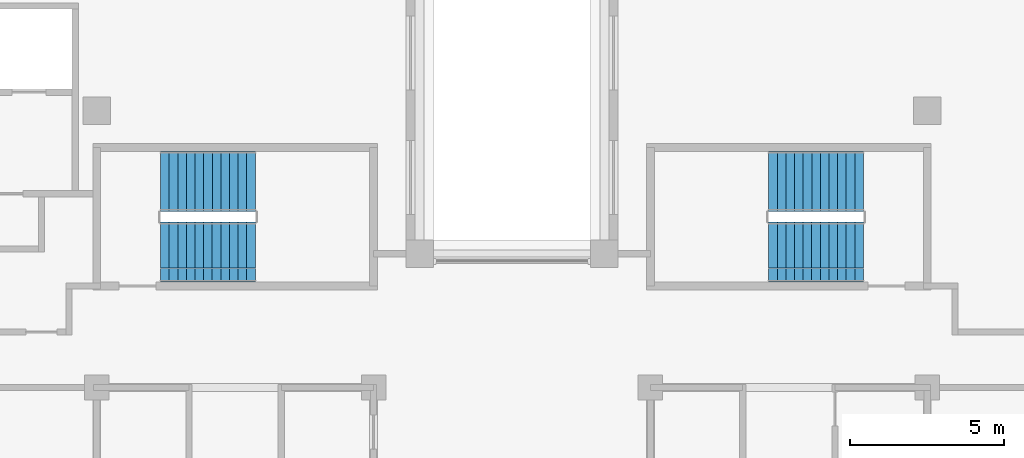
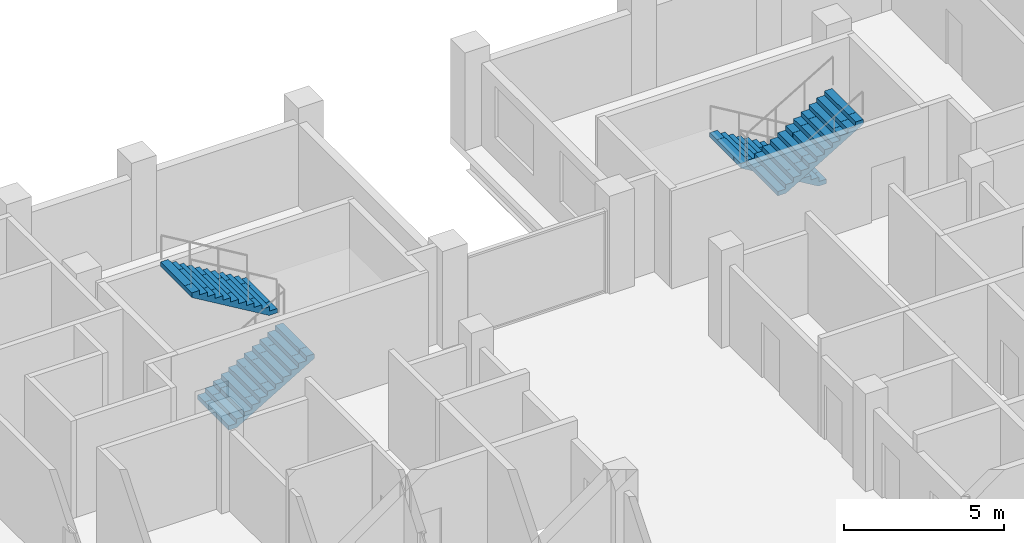
# One storey, part 12 of 13: 4 stair flights, 2 elements without a shape of their own.
"""IFC4 building model written with IfcOpenShell, lengths in metres."""

from ifc_helpers import new_model, si_unit, direction, frame, origin, place, context, subcontext, project, spatial, polyline, outline, extrude, material, type_object, element, aggregate, save


model = new_model("IFC4")

# Units and contexts
model_context = context("Model", 3, precision=1e-05, world=origin(), true_north=direction((0.0, 1.0)))
body_context = subcontext(model_context, "Body", "Model", "MODEL_VIEW")
ifc_project = project(units=[si_unit("LENGTHUNIT", "METRE"), si_unit("AREAUNIT", "SQUARE_METRE"), si_unit("VOLUMEUNIT", "CUBIC_METRE"), si_unit("PLANEANGLEUNIT", "RADIAN"), si_unit("MASSUNIT", "GRAM", prefix="KILO")], contexts=[model_context])

# Site, building, storey
site_placement = place(None, origin())
site = spatial("IfcSite", under=ifc_project, at=site_placement, CompositionType="ELEMENT")
building_placement = place(site_placement, origin())
building = spatial("IfcBuilding", under=site, at=building_placement, Name="Corbelhall Arena Tower", CompositionType="ELEMENT")
storey_placement = place(building_placement, frame((0.0, 0.0, 250.0)))
storey = spatial("IfcBuildingStorey", under=building, at=storey_placement, Name="L53", CompositionType="ELEMENT", Elevation=250.0)

# Stair, stair flights
ifc_material = material(Name="Concrete C40/50", Category="concrete")
stair_type = type_object("IfcStairType", Name="IN-ST-TOWER", PredefinedType="HALF_TURN_STAIR", material=ifc_material)
stair_1_placement = place(storey_placement, origin())
stair_1 = element("IfcStair", 1, at=stair_1_placement, inside=storey, type_object=stair_type, Name="L53 Exit stair ST1", PredefinedType="HALF_TURN_STAIR")
stair_flight_type = type_object("IfcStairFlightType", Name="IN-SFL-RC", PredefinedType="STRAIGHT", material=ifc_material)
stair_flight_1_placement = place(storey_placement, frame((-11.425048828125, 13.39990234375, 0.0), z_axis=(0.0, 0.0, 1.0), x_axis=(1.0, 0.0, 0.0)))
stair_flight_1 = element("IfcStairFlight", 2, at=stair_flight_1_placement, type_object=stair_flight_type, Name="ST1 flight 1", NumberOfRisers=12, NumberOfTreads=11, PredefinedType="STRAIGHT", RiserHeight=0.166666667, TreadLength=0.28, context=body_context, shape_type="SweptSolid", body=[
    extrude(outline(polyline([(0.0, 0.0), (0.0, 0.166748046875), (0.280029296875, 0.166748046875), (0.280029296875, 0.333251953125), (0.56005859375, 0.333251953125), (0.56005859375, 0.5), (0.840087890625, 0.5), (0.840087890625, 0.666748046875), (1.1201171875, 0.666748046875), (1.1201171875, 0.833251953125), (1.39990234375, 0.833251953125), (1.39990234375, 1.0), (1.679931640625, 1.0), (1.679931640625, 1.166748046875), (1.9599609375, 1.166748046875), (1.9599609375, 1.333251953125), (2.239990234375, 1.333251953125), (2.239990234375, 1.5), (2.52001953125, 1.5), (2.52001953125, 1.666748046875), (2.800048828125, 1.666748046875), (2.800048828125, 1.833251953125), (3.080078125, 1.833251953125), (3.080078125, 2.0), (3.080078125, 1.658935546875), (0.29296875, 0.0), (0.0, 0.0)])), frame((0.0, 0.97509765625, 0.0), z_axis=(0.0, -1.0, 0.0), x_axis=(1.0, 0.0, 0.0)), (0.0, 0.0, 1.0), 0.449951171875),
    extrude(outline(polyline([(0.0, 0.0), (0.0, 0.166748046875), (0.280029296875, 0.166748046875), (0.280029296875, 0.333251953125), (0.56005859375, 0.333251953125), (0.56005859375, 0.5), (0.840087890625, 0.5), (0.840087890625, 0.666748046875), (1.1201171875, 0.666748046875), (1.1201171875, 0.833251953125), (1.39990234375, 0.833251953125), (1.39990234375, 1.0), (1.679931640625, 1.0), (1.679931640625, 1.166748046875), (1.9599609375, 1.166748046875), (1.9599609375, 1.333251953125), (2.239990234375, 1.333251953125), (2.239990234375, 1.5), (2.52001953125, 1.5), (2.52001953125, 1.666748046875), (2.800048828125, 1.666748046875), (2.800048828125, 1.833251953125), (3.080078125, 1.833251953125), (3.080078125, 2.0), (3.080078125, 1.658935546875), (0.29296875, 0.0), (0.0, 0.0)])), frame((0.0, 0.52099609375, 0.0), z_axis=(0.0, -1.0, 0.0), x_axis=(1.0, 0.0, 0.0)), (0.0, 0.0, 1.0), 1.0419921875),
    extrude(outline(polyline([(0.0, 0.0), (0.0, 0.166748046875), (0.280029296875, 0.166748046875), (0.280029296875, 0.333251953125), (0.56005859375, 0.333251953125), (0.56005859375, 0.5), (0.840087890625, 0.5), (0.840087890625, 0.666748046875), (1.1201171875, 0.666748046875), (1.1201171875, 0.833251953125), (1.39990234375, 0.833251953125), (1.39990234375, 1.0), (1.679931640625, 1.0), (1.679931640625, 1.166748046875), (1.9599609375, 1.166748046875), (1.9599609375, 1.333251953125), (2.239990234375, 1.333251953125), (2.239990234375, 1.5), (2.52001953125, 1.5), (2.52001953125, 1.666748046875), (2.800048828125, 1.666748046875), (2.800048828125, 1.833251953125), (3.080078125, 1.833251953125), (3.080078125, 2.0), (3.080078125, 1.658935546875), (0.29296875, 0.0), (0.0, 0.0)])), frame((0.0, -0.52490234375, 0.0), z_axis=(0.0, -1.0, 0.0), x_axis=(1.0, 0.0, 0.0)), (0.0, 0.0, 1.0), 0.449951171875),
])
stair_flight_2_placement = place(storey_placement, frame((-8.344970703125, 15.699951171875, 2.0), z_axis=(0.0, 0.0, 1.0), x_axis=(-1.0, 0.0, 0.0)))
stair_flight_2 = element("IfcStairFlight", 3, at=stair_flight_2_placement, type_object=stair_flight_type, Name="ST1 flight 2", NumberOfRisers=12, NumberOfTreads=11, PredefinedType="STRAIGHT", RiserHeight=0.166666667, TreadLength=0.28, context=body_context, shape_type="SweptSolid", body=[
    extrude(outline(polyline([(0.0, 0.0), (0.0, 0.166748046875), (0.280029296875, 0.166748046875), (0.280029296875, 0.333251953125), (0.56005859375, 0.333251953125), (0.56005859375, 0.5), (0.840087890625, 0.5), (0.840087890625, 0.666748046875), (1.1201171875, 0.666748046875), (1.1201171875, 0.833251953125), (1.39990234375, 0.833251953125), (1.39990234375, 1.0), (1.679931640625, 1.0), (1.679931640625, 1.166748046875), (1.9599609375, 1.166748046875), (1.9599609375, 1.333251953125), (2.239990234375, 1.333251953125), (2.239990234375, 1.5), (2.52001953125, 1.5), (2.52001953125, 1.666748046875), (2.800048828125, 1.666748046875), (2.800048828125, 1.833251953125), (3.080078125, 1.833251953125), (3.080078125, 2.0), (3.080078125, 1.658935546875), (0.29296875, 0.0), (0.0, 0.0)])), frame((0.0, 0.97509765625, 0.0), z_axis=(0.0, -1.0, 0.0), x_axis=(1.0, 0.0, 0.0)), (0.0, 0.0, 1.0), 0.449951171875),
    extrude(outline(polyline([(0.0, 0.0), (0.0, 0.166748046875), (0.280029296875, 0.166748046875), (0.280029296875, 0.333251953125), (0.56005859375, 0.333251953125), (0.56005859375, 0.5), (0.840087890625, 0.5), (0.840087890625, 0.666748046875), (1.1201171875, 0.666748046875), (1.1201171875, 0.833251953125), (1.39990234375, 0.833251953125), (1.39990234375, 1.0), (1.679931640625, 1.0), (1.679931640625, 1.166748046875), (1.9599609375, 1.166748046875), (1.9599609375, 1.333251953125), (2.239990234375, 1.333251953125), (2.239990234375, 1.5), (2.52001953125, 1.5), (2.52001953125, 1.666748046875), (2.800048828125, 1.666748046875), (2.800048828125, 1.833251953125), (3.080078125, 1.833251953125), (3.080078125, 2.0), (3.080078125, 1.658935546875), (0.29296875, 0.0), (0.0, 0.0)])), frame((0.0, 0.52099609375, 0.0), z_axis=(0.0, -1.0, 0.0), x_axis=(1.0, 0.0, 0.0)), (0.0, 0.0, 1.0), 1.0419921875),
    extrude(outline(polyline([(0.0, 0.0), (0.0, 0.166748046875), (0.280029296875, 0.166748046875), (0.280029296875, 0.333251953125), (0.56005859375, 0.333251953125), (0.56005859375, 0.5), (0.840087890625, 0.5), (0.840087890625, 0.666748046875), (1.1201171875, 0.666748046875), (1.1201171875, 0.833251953125), (1.39990234375, 0.833251953125), (1.39990234375, 1.0), (1.679931640625, 1.0), (1.679931640625, 1.166748046875), (1.9599609375, 1.166748046875), (1.9599609375, 1.333251953125), (2.239990234375, 1.333251953125), (2.239990234375, 1.5), (2.52001953125, 1.5), (2.52001953125, 1.666748046875), (2.800048828125, 1.666748046875), (2.800048828125, 1.833251953125), (3.080078125, 1.833251953125), (3.080078125, 2.0), (3.080078125, 1.658935546875), (0.29296875, 0.0), (0.0, 0.0)])), frame((0.0, -0.52490234375, 0.0), z_axis=(0.0, -1.0, 0.0), x_axis=(1.0, 0.0, 0.0)), (0.0, 0.0, 1.0), 0.449951171875),
])
aggregate(stair_1, [stair_flight_1, stair_flight_2])

stair_2_placement = place(storey_placement, origin())
stair_2 = element("IfcStair", 4, at=stair_2_placement, inside=storey, type_object=stair_type, Name="L53 Exit stair ST3", PredefinedType="HALF_TURN_STAIR")
stair_flight_3_placement = place(storey_placement, frame((11.425048828125, 15.699951171875, 0.0), z_axis=(0.0, 0.0, 1.0), x_axis=(-1.0, 0.0, 0.0)))
stair_flight_3 = element("IfcStairFlight", 5, at=stair_flight_3_placement, type_object=stair_flight_type, Name="ST3 flight 1", NumberOfRisers=12, NumberOfTreads=11, PredefinedType="STRAIGHT", RiserHeight=0.166666667, TreadLength=0.28, context=body_context, shape_type="SweptSolid", body=[
    extrude(outline(polyline([(0.0, 0.0), (0.0, 0.166748046875), (0.280029296875, 0.166748046875), (0.280029296875, 0.333251953125), (0.56005859375, 0.333251953125), (0.56005859375, 0.5), (0.840087890625, 0.5), (0.840087890625, 0.666748046875), (1.1201171875, 0.666748046875), (1.1201171875, 0.833251953125), (1.39990234375, 0.833251953125), (1.39990234375, 1.0), (1.679931640625, 1.0), (1.679931640625, 1.166748046875), (1.9599609375, 1.166748046875), (1.9599609375, 1.333251953125), (2.239990234375, 1.333251953125), (2.239990234375, 1.5), (2.52001953125, 1.5), (2.52001953125, 1.666748046875), (2.800048828125, 1.666748046875), (2.800048828125, 1.833251953125), (3.080078125, 1.833251953125), (3.080078125, 2.0), (3.080078125, 1.658935546875), (0.29296875, 0.0), (0.0, 0.0)])), frame((0.0, 0.97509765625, 0.0), z_axis=(0.0, -1.0, 0.0), x_axis=(1.0, 0.0, 0.0)), (0.0, 0.0, 1.0), 0.449951171875),
    extrude(outline(polyline([(0.0, 0.0), (0.0, 0.166748046875), (0.280029296875, 0.166748046875), (0.280029296875, 0.333251953125), (0.56005859375, 0.333251953125), (0.56005859375, 0.5), (0.840087890625, 0.5), (0.840087890625, 0.666748046875), (1.1201171875, 0.666748046875), (1.1201171875, 0.833251953125), (1.39990234375, 0.833251953125), (1.39990234375, 1.0), (1.679931640625, 1.0), (1.679931640625, 1.166748046875), (1.9599609375, 1.166748046875), (1.9599609375, 1.333251953125), (2.239990234375, 1.333251953125), (2.239990234375, 1.5), (2.52001953125, 1.5), (2.52001953125, 1.666748046875), (2.800048828125, 1.666748046875), (2.800048828125, 1.833251953125), (3.080078125, 1.833251953125), (3.080078125, 2.0), (3.080078125, 1.658935546875), (0.29296875, 0.0), (0.0, 0.0)])), frame((0.0, 0.52099609375, 0.0), z_axis=(0.0, -1.0, 0.0), x_axis=(1.0, 0.0, 0.0)), (0.0, 0.0, 1.0), 1.0419921875),
    extrude(outline(polyline([(0.0, 0.0), (0.0, 0.166748046875), (0.280029296875, 0.166748046875), (0.280029296875, 0.333251953125), (0.56005859375, 0.333251953125), (0.56005859375, 0.5), (0.840087890625, 0.5), (0.840087890625, 0.666748046875), (1.1201171875, 0.666748046875), (1.1201171875, 0.833251953125), (1.39990234375, 0.833251953125), (1.39990234375, 1.0), (1.679931640625, 1.0), (1.679931640625, 1.166748046875), (1.9599609375, 1.166748046875), (1.9599609375, 1.333251953125), (2.239990234375, 1.333251953125), (2.239990234375, 1.5), (2.52001953125, 1.5), (2.52001953125, 1.666748046875), (2.800048828125, 1.666748046875), (2.800048828125, 1.833251953125), (3.080078125, 1.833251953125), (3.080078125, 2.0), (3.080078125, 1.658935546875), (0.29296875, 0.0), (0.0, 0.0)])), frame((0.0, -0.52490234375, 0.0), z_axis=(0.0, -1.0, 0.0), x_axis=(1.0, 0.0, 0.0)), (0.0, 0.0, 1.0), 0.449951171875),
])
stair_flight_4_placement = place(storey_placement, frame((8.344970703125, 13.39990234375, 2.0), z_axis=(0.0, 0.0, 1.0), x_axis=(1.0, 0.0, 0.0)))
stair_flight_4 = element("IfcStairFlight", 6, at=stair_flight_4_placement, type_object=stair_flight_type, Name="ST3 flight 2", NumberOfRisers=12, NumberOfTreads=11, PredefinedType="STRAIGHT", RiserHeight=0.166666667, TreadLength=0.28, context=body_context, shape_type="SweptSolid", body=[
    extrude(outline(polyline([(0.0, 0.0), (0.0, 0.166748046875), (0.280029296875, 0.166748046875), (0.280029296875, 0.333251953125), (0.56005859375, 0.333251953125), (0.56005859375, 0.5), (0.840087890625, 0.5), (0.840087890625, 0.666748046875), (1.1201171875, 0.666748046875), (1.1201171875, 0.833251953125), (1.39990234375, 0.833251953125), (1.39990234375, 1.0), (1.679931640625, 1.0), (1.679931640625, 1.166748046875), (1.9599609375, 1.166748046875), (1.9599609375, 1.333251953125), (2.239990234375, 1.333251953125), (2.239990234375, 1.5), (2.52001953125, 1.5), (2.52001953125, 1.666748046875), (2.800048828125, 1.666748046875), (2.800048828125, 1.833251953125), (3.080078125, 1.833251953125), (3.080078125, 2.0), (3.080078125, 1.658935546875), (0.29296875, 0.0), (0.0, 0.0)])), frame((0.0, 0.97509765625, 0.0), z_axis=(0.0, -1.0, 0.0), x_axis=(1.0, 0.0, 0.0)), (0.0, 0.0, 1.0), 0.449951171875),
    extrude(outline(polyline([(0.0, 0.0), (0.0, 0.166748046875), (0.280029296875, 0.166748046875), (0.280029296875, 0.333251953125), (0.56005859375, 0.333251953125), (0.56005859375, 0.5), (0.840087890625, 0.5), (0.840087890625, 0.666748046875), (1.1201171875, 0.666748046875), (1.1201171875, 0.833251953125), (1.39990234375, 0.833251953125), (1.39990234375, 1.0), (1.679931640625, 1.0), (1.679931640625, 1.166748046875), (1.9599609375, 1.166748046875), (1.9599609375, 1.333251953125), (2.239990234375, 1.333251953125), (2.239990234375, 1.5), (2.52001953125, 1.5), (2.52001953125, 1.666748046875), (2.800048828125, 1.666748046875), (2.800048828125, 1.833251953125), (3.080078125, 1.833251953125), (3.080078125, 2.0), (3.080078125, 1.658935546875), (0.29296875, 0.0), (0.0, 0.0)])), frame((0.0, 0.52099609375, 0.0), z_axis=(0.0, -1.0, 0.0), x_axis=(1.0, 0.0, 0.0)), (0.0, 0.0, 1.0), 1.0419921875),
    extrude(outline(polyline([(0.0, 0.0), (0.0, 0.166748046875), (0.280029296875, 0.166748046875), (0.280029296875, 0.333251953125), (0.56005859375, 0.333251953125), (0.56005859375, 0.5), (0.840087890625, 0.5), (0.840087890625, 0.666748046875), (1.1201171875, 0.666748046875), (1.1201171875, 0.833251953125), (1.39990234375, 0.833251953125), (1.39990234375, 1.0), (1.679931640625, 1.0), (1.679931640625, 1.166748046875), (1.9599609375, 1.166748046875), (1.9599609375, 1.333251953125), (2.239990234375, 1.333251953125), (2.239990234375, 1.5), (2.52001953125, 1.5), (2.52001953125, 1.666748046875), (2.800048828125, 1.666748046875), (2.800048828125, 1.833251953125), (3.080078125, 1.833251953125), (3.080078125, 2.0), (3.080078125, 1.658935546875), (0.29296875, 0.0), (0.0, 0.0)])), frame((0.0, -0.52490234375, 0.0), z_axis=(0.0, -1.0, 0.0), x_axis=(1.0, 0.0, 0.0)), (0.0, 0.0, 1.0), 0.449951171875),
])
aggregate(stair_2, [stair_flight_3, stair_flight_4])

save(model, "model.ifc")
